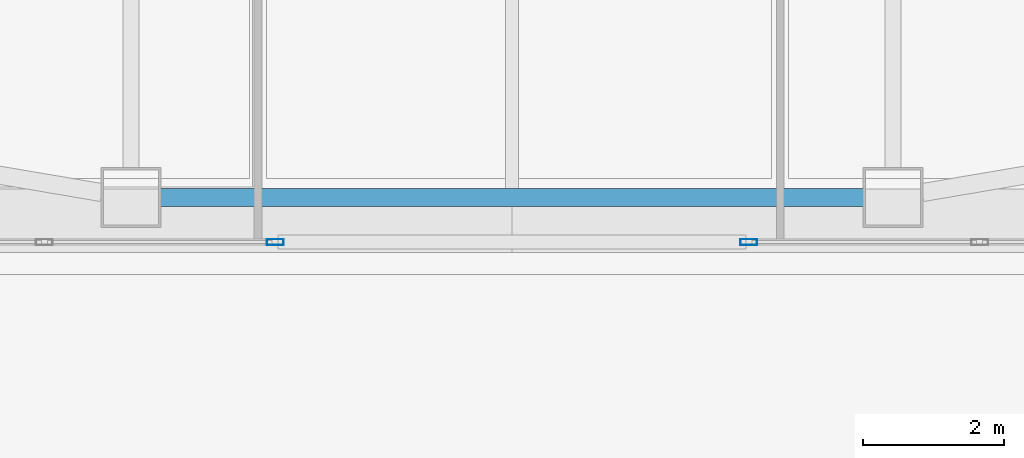
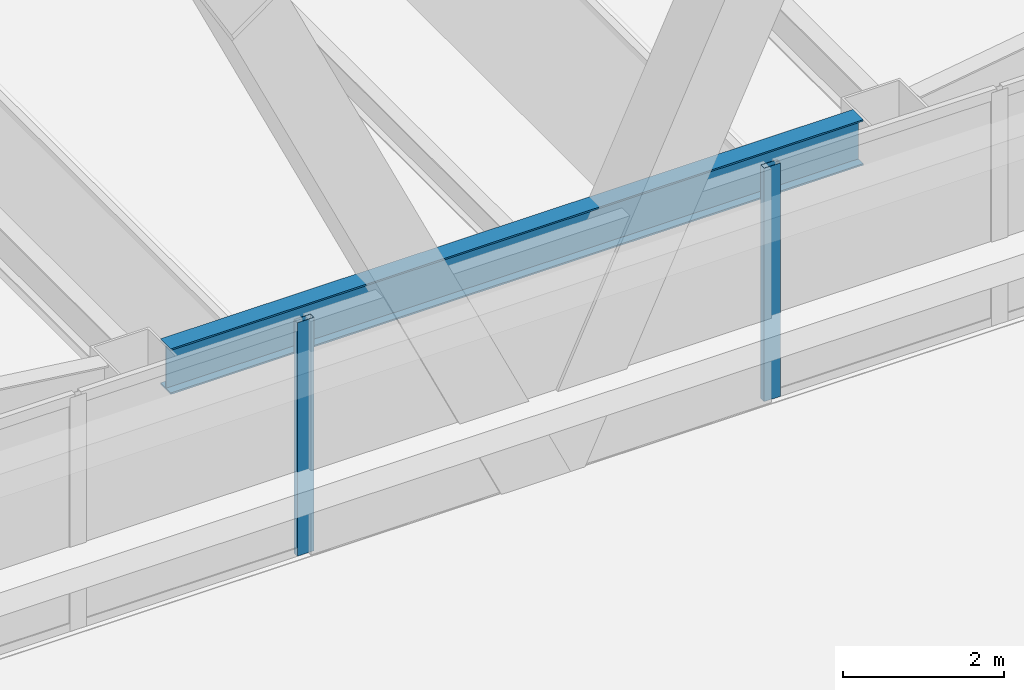
# One storey, part 11 of 83: 2 members, 1 beam, 2 elements without a shape of their own.
"""IFC4 building model written with IfcOpenShell, lengths in metres."""

import ifcopenshell
import ifcopenshell.guid

model = None  # the IFC model being written
_history = None  # IfcOwnerHistory: only IFC2X3 demands one
_inside = {}  # id of a spatial element -> (the spatial element, [elements in it])
_under = {}  # id of a project, library or spatial element -> (it, [spatial elements below it])
_declared = {}  # id of a project -> (the project, [libraries it declares])
_typed = {}  # id of a type object -> (the type object, [elements of that type])
_made_of = {}  # id of a material, layer set ... -> (it, [elements and type objects made of it])


def new_model(schema):
    """Start an empty IFC model of exactly this schema.

    Asked for "IFC4X3", IfcOpenShell would pick the latest addendum, in which some entities
    have other attributes; the version numbers below select the first issue.
    IFC2X3 requires an IfcOwnerHistory on every rooted entity: one is made here for all.
    """
    global model, _history
    if schema == "IFC4X3":
        model = ifcopenshell.file(schema_version=(4, 3, 0, 0))
    else:
        model = ifcopenshell.file(schema=schema)
    _inside.clear()
    _under.clear()
    _declared.clear()
    _typed.clear()
    _made_of.clear()
    _history = None
    if model.schema == "IFC2X3":
        org = make("IfcOrganization", Name="unknown")
        user = make(
            "IfcPersonAndOrganization",
            ThePerson=make("IfcPerson", FamilyName="unknown"),
            TheOrganization=org,
        )
        app = make(
            "IfcApplication",
            ApplicationDeveloper=org,
            Version="unknown",
            ApplicationFullName="unknown",
            ApplicationIdentifier="unknown",
        )
        _history = make(
            "IfcOwnerHistory",
            OwningUser=user,
            OwningApplication=app,
            ChangeAction="ADDED",
            CreationDate=0,
        )
    return model


def make(cls, **values):
    """One entity of the class cls with the attributes given. An attribute that is None is left unset."""
    return model.create_entity(
        cls, **{name: value for name, value in values.items() if value is not None}
    )


def rooted(cls, **values):
    """An entity with a GlobalId (a new one), such as an element, a storey or a relation."""
    return make(cls, GlobalId=ifcopenshell.guid.new(), OwnerHistory=_history, **values)


def si_unit(unit_type, name, prefix=None):
    """IfcSIUnit, for example si_unit("LENGTHUNIT", "METRE", prefix="MILLI")."""
    return make("IfcSIUnit", UnitType=unit_type, Prefix=prefix, Name=name)


def assignment(units):
    """IfcUnitAssignment: the units of a project."""
    return None if units is None else make("IfcUnitAssignment", Units=units)


def point(xyz):
    """IfcCartesianPoint."""
    return None if xyz is None else make("IfcCartesianPoint", Coordinates=xyz)


def direction(xyz):
    """IfcDirection."""
    return None if xyz is None else make("IfcDirection", DirectionRatios=xyz)


def frame(location, z_axis=None, x_axis=None):
    """IfcAxis2Placement3D, a coordinate frame: its origin and axes. An axis left out is left unset."""
    return make(
        "IfcAxis2Placement3D",
        Location=point(location),
        Axis=direction(z_axis),
        RefDirection=direction(x_axis),
    )


def frame_2d(location, x_axis=None):
    """IfcAxis2Placement2D, a coordinate frame in the plane: its origin and x axis."""
    return make(
        "IfcAxis2Placement2D", Location=point(location), RefDirection=direction(x_axis)
    )


def origin():
    """The frame at (0, 0, 0) with its axes left unset."""
    return frame((0.0, 0.0, 0.0))


def origin_2d():
    """The frame at (0, 0) in the plane with its x axis left unset."""
    return frame_2d((0.0, 0.0))


def place(relative_to, where):
    """IfcLocalPlacement: puts the frame where relative to a parent placement (None: the world)."""
    return make(
        "IfcLocalPlacement", PlacementRelTo=relative_to, RelativePlacement=where
    )


def context(
    kind, dimensions, precision=None, world=None, true_north=None, identifier=None
):
    """IfcGeometricRepresentationContext, for example the 3D "Model" context."""
    return make(
        "IfcGeometricRepresentationContext",
        ContextIdentifier=identifier,
        ContextType=kind,
        CoordinateSpaceDimension=dimensions,
        Precision=precision,
        WorldCoordinateSystem=world,
        TrueNorth=true_north,
    )


def subcontext(parent, identifier, kind, view, scale=None):
    """IfcGeometricRepresentationSubContext, for example "Body" below "Model"."""
    return make(
        "IfcGeometricRepresentationSubContext",
        ContextIdentifier=identifier,
        ContextType=kind,
        ParentContext=parent,
        TargetScale=scale,
        TargetView=view,
    )


def project(units=None, contexts=None):
    """IfcProject with its units and contexts."""
    return rooted(
        "IfcProject",
        Name="project",
        RepresentationContexts=contexts,
        UnitsInContext=assignment(units),
    )


def spatial(cls, under=None, at=None, **own):
    """A site, building, storey or space (cls), placed at a placement, below another one or the project."""
    s = rooted(cls, ObjectPlacement=at, **own)
    if under is not None:
        _under.setdefault(under.id(), (under, []))[1].append(s)
    return s


def profile(cls, at=None, kind="AREA", **sizes):
    """A parametric profile (cls). Its sizes go by their IFC names, for example OverallWidth=200.0."""
    return make(cls, ProfileType=kind, Position=at, **sizes)


def hollow_rectangle(**sizes):
    """IfcRectangleHollowProfileDef."""
    return profile("IfcRectangleHollowProfileDef", **sizes)


def i_section(**sizes):
    """IfcIShapeProfileDef."""
    return profile("IfcIShapeProfileDef", **sizes)


def extrude(swept, where, along, depth):
    """IfcExtrudedAreaSolid: the profile swept, set in the frame where, extruded along a direction by depth."""
    return make(
        "IfcExtrudedAreaSolid",
        SweptArea=swept,
        Position=where,
        ExtrudedDirection=direction(along),
        Depth=depth,
    )


def shape(context_of_items, identifier, shape_type, items):
    """IfcShapeRepresentation: the items that make up one representation, for example the "Body"."""
    return make(
        "IfcShapeRepresentation",
        ContextOfItems=context_of_items,
        RepresentationIdentifier=identifier,
        RepresentationType=shape_type,
        Items=items,
    )


def material(Name=None, Category=None):
    """IfcMaterial."""
    return make("IfcMaterial", Name=Name, Category=Category)


def material_profile(
    of_material, cross_section, Name=None, Category=None, Priority=None
):
    """IfcMaterialProfile: a cross section and its material."""
    return make(
        "IfcMaterialProfile",
        Name=Name,
        Material=of_material,
        Profile=cross_section,
        Priority=Priority,
        Category=Category,
    )


def profile_set(profiles, Name=None, composite=None):
    """IfcMaterialProfileSet."""
    return make(
        "IfcMaterialProfileSet",
        Name=Name,
        MaterialProfiles=profiles,
        CompositeProfile=composite,
    )


def made_of(thing, what):
    """Note that an element or type object is made of a material, layer set ...; save() writes the relation."""
    if what is not None:
        _made_of.setdefault(what.id(), (what, []))[1].append(thing)
    return thing


def type_object(cls, material=None, **own):
    """A type object (cls), such as IfcWallType, which elements share."""
    return made_of(rooted(cls, **own), material)


def element(
    cls,
    number,
    at=None,
    inside=None,
    cuts=None,
    type_object=None,
    material=None,
    context=None,
    identifier="Body",
    shape_type=None,
    held_by="IfcProductDefinitionShape",
    body=None,
    shapes=None,
    **own,
):
    """One element of the class cls, such as IfcWall. Its Tag is "e" and its number.

    at: its placement. inside: the storey or other place that contains it. cuts: it is an
    opening in that element (IfcRelVoidsElement). A single representation is given by context,
    identifier, shape_type and body (its items); several are given by shapes. held_by: the class
    of the entity that holds the representations. save() writes the other relations.
    """
    e = rooted(cls, Tag="e%d" % number, ObjectPlacement=at, **own)
    if body is not None:
        shapes = [shape(context, identifier, shape_type, body)]
    if shapes is not None:
        e.Representation = make(held_by, Representations=shapes)
    if inside is not None:
        _inside.setdefault(inside.id(), (inside, []))[1].append(e)
    if cuts is not None:
        rooted(
            "IfcRelVoidsElement", RelatingBuildingElement=cuts, RelatedOpeningElement=e
        )
    if type_object is not None:
        _typed.setdefault(type_object.id(), (type_object, []))[1].append(e)
    return made_of(e, material)


def aggregate(whole, parts):
    """IfcRelAggregates: a whole, such as a stair, and the parts it consists of."""
    return rooted("IfcRelAggregates", RelatingObject=whole, RelatedObjects=parts)


def save(model, path):
    """Write the relations noted so far, then the file.

    IfcRelAggregates (storeys below a building ...), IfcRelContainedInSpatialStructure (elements
    in a storey), IfcRelDefinesByType, IfcRelAssociatesMaterial and IfcRelDeclares: one each for
    every whole, place, type object, material and project.
    """
    for whole, parts in _under.values():
        aggregate(whole, parts)
    for where, things in _inside.values():
        rooted(
            "IfcRelContainedInSpatialStructure",
            RelatedElements=things,
            RelatingStructure=where,
        )
    for kind, things in _typed.values():
        rooted("IfcRelDefinesByType", RelatedObjects=things, RelatingType=kind)
    for what, things in _made_of.values():
        rooted("IfcRelAssociatesMaterial", RelatedObjects=things, RelatingMaterial=what)
    for by, libraries in _declared.values():
        rooted("IfcRelDeclares", RelatingContext=by, RelatedDefinitions=libraries)
    model.write(path)


model = new_model("IFC4")

# Units and contexts
model_context = context("Model", 3, precision=1e-05, world=origin(), true_north=direction((0.0, 1.0)))
body_context = subcontext(model_context, "Body", "Model", "MODEL_VIEW")
ifc_project = project(units=[si_unit("LENGTHUNIT", "METRE"), si_unit("AREAUNIT", "SQUARE_METRE"), si_unit("VOLUMEUNIT", "CUBIC_METRE"), si_unit("PLANEANGLEUNIT", "RADIAN"), si_unit("MASSUNIT", "GRAM", prefix="KILO")], contexts=[model_context])

# Site, building, storey
site_placement = place(None, origin())
site = spatial("IfcSite", under=ifc_project, at=site_placement, CompositionType="ELEMENT")
building_placement = place(site_placement, origin())
building = spatial("IfcBuilding", under=site, at=building_placement, Name="Tashvorn Skyway Center", CompositionType="ELEMENT")
storey_placement = place(building_placement, frame((0.0, 0.0, 24.60009765625)))
storey = spatial("IfcBuildingStorey", under=building, at=storey_placement, Name="L05", CompositionType="ELEMENT", Elevation=24.60009765625)

# Beam
ifc_material_1 = material(Name="Steel ASTM A992 Grade 50", Category="steel")
ifc_material_profile_1 = material_profile(ifc_material_1, i_section(OverallWidth=0.256103515625, OverallDepth=0.693115234375, WebThickness=0.014404296875, FlangeThickness=0.023681640625, at=origin_2d()), Name="W27X114")
ifc_profile_set_1 = profile_set([ifc_material_profile_1], Name="Steel ASTM A992 Grade 50")
beam_type = type_object("IfcBeamType", Name="BM-SPANDREL-W27X114", PredefinedType="SPANDREL", material=ifc_profile_set_1)
beam_placement = place(storey_placement, frame((37.02001953125, 9.75, 3.00341796875), z_axis=(1.0, 0.0, 0.0), x_axis=(0.0, 1.0, 0.0)))
element("IfcBeam", 1, at=beam_placement, inside=storey, type_object=beam_type, Name="Tower 1 L05 Spandrel Beam 02", PredefinedType="SPANDREL", context=body_context, shape_type="SweptSolid", body=[
    extrude(i_section(OverallWidth=0.256103515625, OverallDepth=0.693115234375, WebThickness=0.014404296875, FlangeThickness=0.023681640625, at=origin_2d()), origin(), (0.0, 0.0, 1.0), 9.9599609375),
])

# Curtain wall, member
ifc_material_2 = material(Name="Thermally broken bronze-anodized aluminium 6063-T6", Category="aluminium")
curtain_wall_type = type_object("IfcCurtainWallType", Name="CW-CW-Z1", PredefinedType="NOTDEFINED", material=ifc_material_2)
curtain_wall_1_placement = place(storey_placement, origin())
curtain_wall_1 = element("IfcCurtainWall", 2, at=curtain_wall_1_placement, inside=storey, type_object=curtain_wall_type, Name="Tower 1 L05 South Unitised Curtain Wall Glazing Group 2", PredefinedType="NOTDEFINED")
ifc_material_profile_2 = material_profile(ifc_material_2, hollow_rectangle(XDim=0.0849609375, YDim=0.239990234375, WallThickness=0.0048828125, at=origin_2d()), Name="ALU-MULL-85x240")
ifc_profile_set_2 = profile_set([ifc_material_profile_2], Name="Thermally broken bronze-anodized aluminium 6063-T6")
member_type = type_object("IfcMemberType", Name="CWM-CW-Z1", PredefinedType="MULLION", material=ifc_profile_set_2)
member_1_placement = place(storey_placement, frame((45.355712890625, 9.1201171875, 0.0), z_axis=(0.0, 0.0, 1.0), x_axis=(0.0, -1.0, 0.0)))
member_1 = element("IfcMember", 3, at=member_1_placement, type_object=member_type, Name="CW-Z1 mullion 3", PredefinedType="MULLION", context=body_context, shape_type="SweptSolid", body=[
    extrude(hollow_rectangle(XDim=0.0849609375, YDim=0.239990234375, WallThickness=0.0048828125, at=origin_2d()), origin(), (0.0, 0.0, 1.0), 3.5498046875),
])
aggregate(curtain_wall_1, [member_1])

curtain_wall_2_placement = place(storey_placement, origin())
curtain_wall_2 = element("IfcCurtainWall", 4, at=curtain_wall_2_placement, inside=storey, type_object=curtain_wall_type, Name="Tower 1 L05 South Unitised Curtain Wall Glazing Group 3", PredefinedType="NOTDEFINED")
member_2_placement = place(storey_placement, frame((38.644287109375, 9.1201171875, 0.0), z_axis=(0.0, 0.0, 1.0), x_axis=(0.0, -1.0, 0.0)))
member_2 = element("IfcMember", 5, at=member_2_placement, type_object=member_type, Name="CW-Z1 mullion 1", PredefinedType="MULLION", context=body_context, shape_type="SweptSolid", body=[
    extrude(hollow_rectangle(XDim=0.0849609375, YDim=0.239990234375, WallThickness=0.0048828125, at=origin_2d()), origin(), (0.0, 0.0, 1.0), 3.5498046875),
])
aggregate(curtain_wall_2, [member_2])

save(model, "model.ifc")
